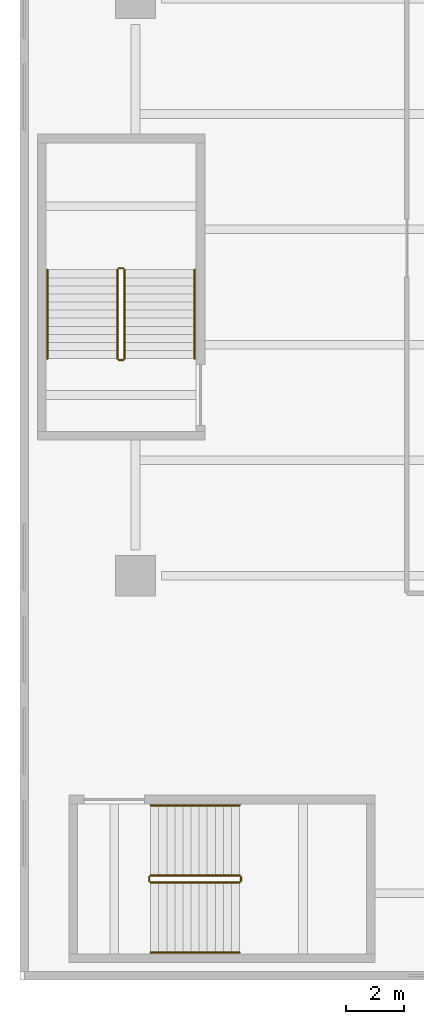
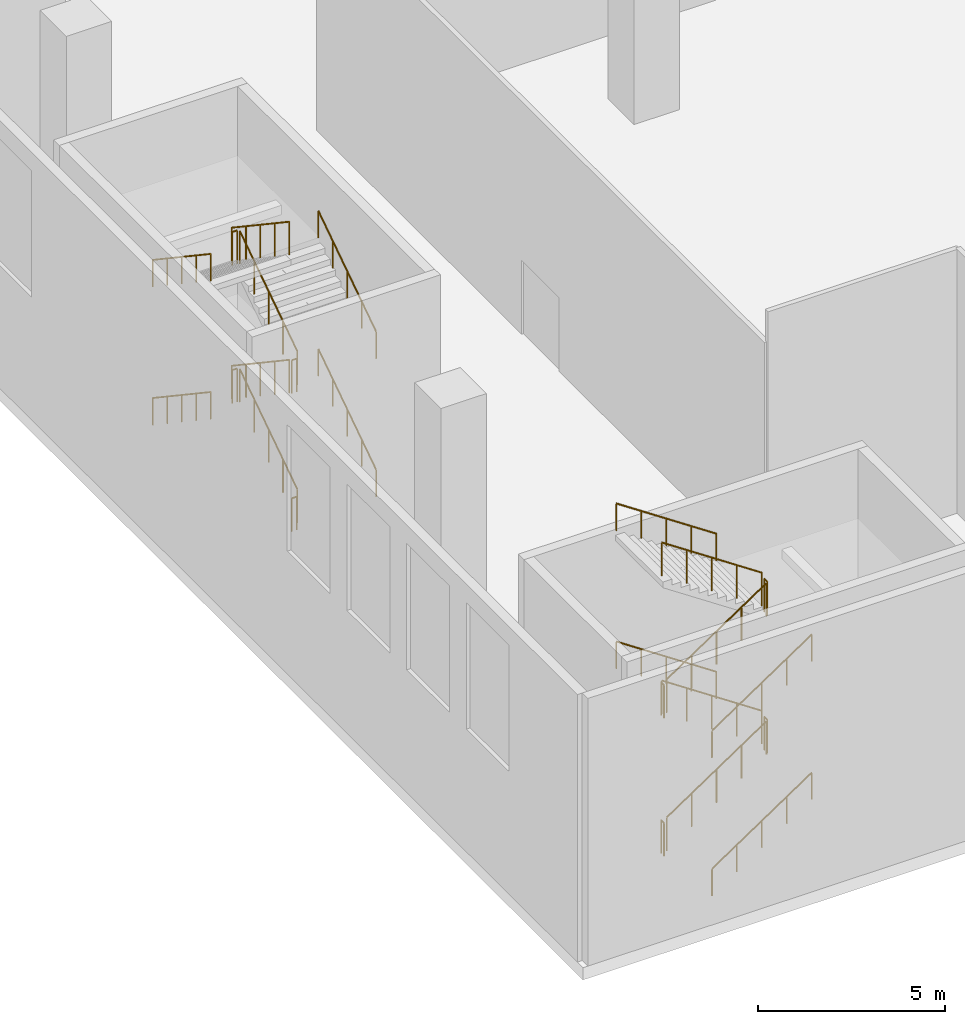
# One storey, part 19 of 27: 24 railings.
"""IFC4 building model written with IfcOpenShell, lengths in metres."""

from ifc_helpers import new_model, si_unit, direction, frame, origin, origin_2d, place, context, subcontext, project, spatial, circle, extrude, material, type_object, element, save


model = new_model("IFC4")

# Units and contexts
model_context = context("Model", 3, precision=1e-05, world=origin(), true_north=direction((0.0, 1.0)))
body_context = subcontext(model_context, "Body", "Model", "MODEL_VIEW")
ifc_project = project(units=[si_unit("LENGTHUNIT", "METRE"), si_unit("AREAUNIT", "SQUARE_METRE"), si_unit("VOLUMEUNIT", "CUBIC_METRE"), si_unit("PLANEANGLEUNIT", "RADIAN"), si_unit("MASSUNIT", "GRAM", prefix="KILO")], contexts=[model_context])

# Site, building, storey
site_placement = place(None, origin())
site = spatial("IfcSite", under=ifc_project, at=site_placement, CompositionType="ELEMENT")
building_placement = place(site_placement, origin())
building = spatial("IfcBuilding", under=site, at=building_placement, Name="Tel Ilan Convention Tower", CompositionType="ELEMENT")
storey_placement = place(building_placement, frame((0.0, 0.0, 9.0)))
storey = spatial("IfcBuildingStorey", under=building, at=storey_placement, Name="L01", CompositionType="ELEMENT", Elevation=9.0)

# Railings
ifc_material_1 = material(Name="Stainless Steel Grade 316", Category="steel")
railing_type_1 = type_object("IfcRailingType", Name="Stainless Steel Stair Guard 1100 mm", PredefinedType="GUARDRAIL", material=ifc_material_1)
railing_1_placement = place(storey_placement, frame((-45.47509765625, -78.625, 0.1875)))
element("IfcRailing", 1, at=railing_1_placement, inside=storey, type_object=railing_type_1, Name="L01 P1 stair guard 1", PredefinedType="GUARDRAIL", context=body_context, shape_type="SweptSolid", body=[
    extrude(circle(Radius=0.02392578125, at=origin_2d()), frame((0.0, 0.0, 1.076171875), z_axis=(0.830913701846, 0.0, 0.55640131208), x_axis=(0.0, 1.0, 0.0)), (0.0, 0.0, 1.0), 3.706787109375),
    extrude(circle(Radius=0.02099609375, at=origin_2d()), origin(), (0.0, 0.0, 1.0), 1.052001953125),
    extrude(circle(Radius=0.02099609375, at=origin_2d()), frame((0.77001953125, 0.0, 0.515625)), (0.0, 0.0, 1.0), 1.052001953125),
    extrude(circle(Radius=0.02099609375, at=origin_2d()), frame((1.5400390625, 0.0, 1.03125)), (0.0, 0.0, 1.0), 1.052001953125),
    extrude(circle(Radius=0.02099609375, at=origin_2d()), frame((2.31005859375, 0.0, 1.546875)), (0.0, 0.0, 1.0), 1.052001953125),
    extrude(circle(Radius=0.02099609375, at=origin_2d()), frame((3.080078125, 0.0, 2.0625)), (0.0, 0.0, 1.0), 1.052001953125),
])
railing_2_placement = place(storey_placement, frame((-42.344970703125, -78.574951171875, 2.25)))
element("IfcRailing", 2, at=railing_2_placement, inside=storey, type_object=railing_type_1, Name="L01 P1 stair guard 2", PredefinedType="GUARDRAIL", context=body_context, shape_type="SweptSolid", body=[
    extrude(circle(Radius=0.02392578125, at=origin_2d()), frame((0.0, 0.0, 1.076171875), z_axis=(0.0, 1.0, 0.0), x_axis=(-1.0, 0.0, 0.0)), (0.0, 0.0, 1.0), 0.14990234375),
    extrude(circle(Radius=0.02099609375, at=origin_2d()), origin(), (0.0, 0.0, 1.0), 1.052001953125),
    extrude(circle(Radius=0.02099609375, at=origin_2d()), frame((0.0, 0.14990234375, 0.0)), (0.0, 0.0, 1.0), 1.052001953125),
])
railing_3_placement = place(storey_placement, frame((-42.39501953125, -78.375, 2.4375)))
element("IfcRailing", 3, at=railing_3_placement, inside=storey, type_object=railing_type_1, Name="L01 P1 stair guard 3", PredefinedType="GUARDRAIL", context=body_context, shape_type="SweptSolid", body=[
    extrude(circle(Radius=0.02392578125, at=origin_2d()), frame((0.0, 0.0, 1.076171875), z_axis=(-0.830913701846, 0.0, 0.55640131208), x_axis=(0.0, -1.0, 0.0)), (0.0, 0.0, 1.0), 3.706787109375),
    extrude(circle(Radius=0.02099609375, at=origin_2d()), origin(), (0.0, 0.0, 1.0), 1.052001953125),
    extrude(circle(Radius=0.02099609375, at=origin_2d()), frame((-0.77001953125, 0.0, 0.515625)), (0.0, 0.0, 1.0), 1.052001953125),
    extrude(circle(Radius=0.02099609375, at=origin_2d()), frame((-1.5400390625, 0.0, 1.03125)), (0.0, 0.0, 1.0), 1.052001953125),
    extrude(circle(Radius=0.02099609375, at=origin_2d()), frame((-2.31005859375, 0.0, 1.546875)), (0.0, 0.0, 1.0), 1.052001953125),
    extrude(circle(Radius=0.02099609375, at=origin_2d()), frame((-3.080078125, 0.0, 2.0625)), (0.0, 0.0, 1.0), 1.052001953125),
])
railing_4_placement = place(storey_placement, frame((-45.52490234375, -78.574951171875, 4.5)))
element("IfcRailing", 4, at=railing_4_placement, inside=storey, type_object=railing_type_1, Name="L01 P1 stair guard 4", PredefinedType="GUARDRAIL", context=body_context, shape_type="SweptSolid", body=[
    extrude(circle(Radius=0.02392578125, at=origin_2d()), frame((0.0, 0.0, 1.076171875), z_axis=(0.0, 1.0, 0.0), x_axis=(-1.0, 0.0, 0.0)), (0.0, 0.0, 1.0), 0.14990234375),
    extrude(circle(Radius=0.02099609375, at=origin_2d()), origin(), (0.0, 0.0, 1.0), 1.052001953125),
    extrude(circle(Radius=0.02099609375, at=origin_2d()), frame((0.0, 0.14990234375, 0.0)), (0.0, 0.0, 1.0), 1.052001953125),
])
railing_5_placement = place(storey_placement, frame((-45.47509765625, -78.625, 4.6875)))
element("IfcRailing", 5, at=railing_5_placement, inside=storey, type_object=railing_type_1, Name="L01 P1 stair guard 5", PredefinedType="GUARDRAIL", context=body_context, shape_type="SweptSolid", body=[
    extrude(circle(Radius=0.02392578125, at=origin_2d()), frame((0.0, 0.0, 1.076171875), z_axis=(0.830913701846, 0.0, 0.55640131208), x_axis=(0.0, 1.0, 0.0)), (0.0, 0.0, 1.0), 3.706787109375),
    extrude(circle(Radius=0.02099609375, at=origin_2d()), origin(), (0.0, 0.0, 1.0), 1.052001953125),
    extrude(circle(Radius=0.02099609375, at=origin_2d()), frame((0.77001953125, 0.0, 0.515625)), (0.0, 0.0, 1.0), 1.052001953125),
    extrude(circle(Radius=0.02099609375, at=origin_2d()), frame((1.5400390625, 0.0, 1.03125)), (0.0, 0.0, 1.0), 1.052001953125),
    extrude(circle(Radius=0.02099609375, at=origin_2d()), frame((2.31005859375, 0.0, 1.546875)), (0.0, 0.0, 1.0), 1.052001953125),
    extrude(circle(Radius=0.02099609375, at=origin_2d()), frame((3.080078125, 0.0, 2.0625)), (0.0, 0.0, 1.0), 1.052001953125),
])
railing_6_placement = place(storey_placement, frame((-42.344970703125, -78.574951171875, 6.75)))
element("IfcRailing", 6, at=railing_6_placement, inside=storey, type_object=railing_type_1, Name="L01 P1 stair guard 6", PredefinedType="GUARDRAIL", context=body_context, shape_type="SweptSolid", body=[
    extrude(circle(Radius=0.02392578125, at=origin_2d()), frame((0.0, 0.0, 1.076171875), z_axis=(0.0, 1.0, 0.0), x_axis=(-1.0, 0.0, 0.0)), (0.0, 0.0, 1.0), 0.14990234375),
    extrude(circle(Radius=0.02099609375, at=origin_2d()), origin(), (0.0, 0.0, 1.0), 1.052001953125),
    extrude(circle(Radius=0.02099609375, at=origin_2d()), frame((0.0, 0.14990234375, 0.0)), (0.0, 0.0, 1.0), 1.052001953125),
])
railing_7_placement = place(storey_placement, frame((-42.39501953125, -78.375, 6.9375)))
element("IfcRailing", 7, at=railing_7_placement, inside=storey, type_object=railing_type_1, Name="L01 P1 stair guard 7", PredefinedType="GUARDRAIL", context=body_context, shape_type="SweptSolid", body=[
    extrude(circle(Radius=0.02392578125, at=origin_2d()), frame((0.0, 0.0, 1.076171875), z_axis=(-0.830913701846, 0.0, 0.55640131208), x_axis=(0.0, -1.0, 0.0)), (0.0, 0.0, 1.0), 3.706787109375),
    extrude(circle(Radius=0.02099609375, at=origin_2d()), origin(), (0.0, 0.0, 1.0), 1.052001953125),
    extrude(circle(Radius=0.02099609375, at=origin_2d()), frame((-0.77001953125, 0.0, 0.515625)), (0.0, 0.0, 1.0), 1.052001953125),
    extrude(circle(Radius=0.02099609375, at=origin_2d()), frame((-1.5400390625, 0.0, 1.03125)), (0.0, 0.0, 1.0), 1.052001953125),
    extrude(circle(Radius=0.02099609375, at=origin_2d()), frame((-2.31005859375, 0.0, 1.546875)), (0.0, 0.0, 1.0), 1.052001953125),
    extrude(circle(Radius=0.02099609375, at=origin_2d()), frame((-3.080078125, 0.0, 2.0625)), (0.0, 0.0, 1.0), 1.052001953125),
])
railing_8_placement = place(storey_placement, frame((-45.52490234375, -78.574951171875, 0.0)))
element("IfcRailing", 8, at=railing_8_placement, inside=storey, type_object=railing_type_1, Name="L01 P1 stair guard 8", PredefinedType="GUARDRAIL", context=body_context, shape_type="SweptSolid", body=[
    extrude(circle(Radius=0.02392578125, at=origin_2d()), frame((0.0, 0.0, 1.076171875), z_axis=(0.0, 1.0, 0.0), x_axis=(-1.0, 0.0, 0.0)), (0.0, 0.0, 1.0), 0.14990234375),
    extrude(circle(Radius=0.02099609375, at=origin_2d()), origin(), (0.0, 0.0, 1.0), 1.052001953125),
    extrude(circle(Radius=0.02099609375, at=origin_2d()), frame((0.0, 0.14990234375, 0.0)), (0.0, 0.0, 1.0), 1.052001953125),
])
railing_9_placement = place(storey_placement, frame((-46.375, -60.47509765625, 0.1875)))
element("IfcRailing", 9, at=railing_9_placement, inside=storey, type_object=railing_type_1, Name="L01 P5 stair guard 1", PredefinedType="GUARDRAIL", context=body_context, shape_type="SweptSolid", body=[
    extrude(circle(Radius=0.02392578125, at=origin_2d()), frame((0.0, 0.0, 1.076171875), z_axis=(0.0, 0.830913701846, 0.55640131208), x_axis=(-1.0, 0.0, 0.0)), (0.0, 0.0, 1.0), 3.706787109375),
    extrude(circle(Radius=0.02099609375, at=origin_2d()), origin(), (0.0, 0.0, 1.0), 1.052001953125),
    extrude(circle(Radius=0.02099609375, at=origin_2d()), frame((0.0, 0.77001953125, 0.515625)), (0.0, 0.0, 1.0), 1.052001953125),
    extrude(circle(Radius=0.02099609375, at=origin_2d()), frame((0.0, 1.5400390625, 1.03125)), (0.0, 0.0, 1.0), 1.052001953125),
    extrude(circle(Radius=0.02099609375, at=origin_2d()), frame((0.0, 2.31005859375, 1.546875)), (0.0, 0.0, 1.0), 1.052001953125),
    extrude(circle(Radius=0.02099609375, at=origin_2d()), frame((0.0, 3.080078125, 2.0625)), (0.0, 0.0, 1.0), 1.052001953125),
])
railing_10_placement = place(storey_placement, frame((-46.425048828125, -57.344970703125, 2.25)))
element("IfcRailing", 10, at=railing_10_placement, inside=storey, type_object=railing_type_1, Name="L01 P5 stair guard 2", PredefinedType="GUARDRAIL", context=body_context, shape_type="SweptSolid", body=[
    extrude(circle(Radius=0.02392578125, at=origin_2d()), frame((0.0, 0.0, 1.076171875), z_axis=(-1.0, 0.0, 0.0), x_axis=(0.0, -1.0, 0.0)), (0.0, 0.0, 1.0), 0.14990234375),
    extrude(circle(Radius=0.02099609375, at=origin_2d()), origin(), (0.0, 0.0, 1.0), 1.052001953125),
    extrude(circle(Radius=0.02099609375, at=origin_2d()), frame((-0.14990234375, 0.0, 0.0)), (0.0, 0.0, 1.0), 1.052001953125),
])
railing_11_placement = place(storey_placement, frame((-46.625, -57.39501953125, 2.4375)))
element("IfcRailing", 11, at=railing_11_placement, inside=storey, type_object=railing_type_1, Name="L01 P5 stair guard 3", PredefinedType="GUARDRAIL", context=body_context, shape_type="SweptSolid", body=[
    extrude(circle(Radius=0.02392578125, at=origin_2d()), frame((0.0, 0.0, 1.076171875), z_axis=(0.0, -0.830913701846, 0.55640131208), x_axis=(1.0, 0.0, 0.0)), (0.0, 0.0, 1.0), 3.706787109375),
    extrude(circle(Radius=0.02099609375, at=origin_2d()), origin(), (0.0, 0.0, 1.0), 1.052001953125),
    extrude(circle(Radius=0.02099609375, at=origin_2d()), frame((0.0, -0.77001953125, 0.515625)), (0.0, 0.0, 1.0), 1.052001953125),
    extrude(circle(Radius=0.02099609375, at=origin_2d()), frame((0.0, -1.5400390625, 1.03125)), (0.0, 0.0, 1.0), 1.052001953125),
    extrude(circle(Radius=0.02099609375, at=origin_2d()), frame((0.0, -2.31005859375, 1.546875)), (0.0, 0.0, 1.0), 1.052001953125),
    extrude(circle(Radius=0.02099609375, at=origin_2d()), frame((0.0, -3.080078125, 2.0625)), (0.0, 0.0, 1.0), 1.052001953125),
])
railing_12_placement = place(storey_placement, frame((-46.425048828125, -60.52490234375, 4.5)))
element("IfcRailing", 12, at=railing_12_placement, inside=storey, type_object=railing_type_1, Name="L01 P5 stair guard 4", PredefinedType="GUARDRAIL", context=body_context, shape_type="SweptSolid", body=[
    extrude(circle(Radius=0.02392578125, at=origin_2d()), frame((0.0, 0.0, 1.076171875), z_axis=(-1.0, 0.0, 0.0), x_axis=(0.0, -1.0, 0.0)), (0.0, 0.0, 1.0), 0.14990234375),
    extrude(circle(Radius=0.02099609375, at=origin_2d()), origin(), (0.0, 0.0, 1.0), 1.052001953125),
    extrude(circle(Radius=0.02099609375, at=origin_2d()), frame((-0.14990234375, 0.0, 0.0)), (0.0, 0.0, 1.0), 1.052001953125),
])
railing_13_placement = place(storey_placement, frame((-46.375, -60.47509765625, 4.6875)))
element("IfcRailing", 13, at=railing_13_placement, inside=storey, type_object=railing_type_1, Name="L01 P5 stair guard 5", PredefinedType="GUARDRAIL", context=body_context, shape_type="SweptSolid", body=[
    extrude(circle(Radius=0.02392578125, at=origin_2d()), frame((0.0, 0.0, 1.076171875), z_axis=(0.0, 0.830913701846, 0.55640131208), x_axis=(-1.0, 0.0, 0.0)), (0.0, 0.0, 1.0), 3.706787109375),
    extrude(circle(Radius=0.02099609375, at=origin_2d()), origin(), (0.0, 0.0, 1.0), 1.052001953125),
    extrude(circle(Radius=0.02099609375, at=origin_2d()), frame((0.0, 0.77001953125, 0.515625)), (0.0, 0.0, 1.0), 1.052001953125),
    extrude(circle(Radius=0.02099609375, at=origin_2d()), frame((0.0, 1.5400390625, 1.03125)), (0.0, 0.0, 1.0), 1.052001953125),
    extrude(circle(Radius=0.02099609375, at=origin_2d()), frame((0.0, 2.31005859375, 1.546875)), (0.0, 0.0, 1.0), 1.052001953125),
    extrude(circle(Radius=0.02099609375, at=origin_2d()), frame((0.0, 3.080078125, 2.0625)), (0.0, 0.0, 1.0), 1.052001953125),
])
railing_14_placement = place(storey_placement, frame((-46.425048828125, -57.344970703125, 6.75)))
element("IfcRailing", 14, at=railing_14_placement, inside=storey, type_object=railing_type_1, Name="L01 P5 stair guard 6", PredefinedType="GUARDRAIL", context=body_context, shape_type="SweptSolid", body=[
    extrude(circle(Radius=0.02392578125, at=origin_2d()), frame((0.0, 0.0, 1.076171875), z_axis=(-1.0, 0.0, 0.0), x_axis=(0.0, -1.0, 0.0)), (0.0, 0.0, 1.0), 0.14990234375),
    extrude(circle(Radius=0.02099609375, at=origin_2d()), origin(), (0.0, 0.0, 1.0), 1.052001953125),
    extrude(circle(Radius=0.02099609375, at=origin_2d()), frame((-0.14990234375, 0.0, 0.0)), (0.0, 0.0, 1.0), 1.052001953125),
])
railing_15_placement = place(storey_placement, frame((-46.625, -57.39501953125, 6.9375)))
element("IfcRailing", 15, at=railing_15_placement, inside=storey, type_object=railing_type_1, Name="L01 P5 stair guard 7", PredefinedType="GUARDRAIL", context=body_context, shape_type="SweptSolid", body=[
    extrude(circle(Radius=0.02392578125, at=origin_2d()), frame((0.0, 0.0, 1.076171875), z_axis=(0.0, -0.830913701846, 0.55640131208), x_axis=(1.0, 0.0, 0.0)), (0.0, 0.0, 1.0), 3.706787109375),
    extrude(circle(Radius=0.02099609375, at=origin_2d()), origin(), (0.0, 0.0, 1.0), 1.052001953125),
    extrude(circle(Radius=0.02099609375, at=origin_2d()), frame((0.0, -0.77001953125, 0.515625)), (0.0, 0.0, 1.0), 1.052001953125),
    extrude(circle(Radius=0.02099609375, at=origin_2d()), frame((0.0, -1.5400390625, 1.03125)), (0.0, 0.0, 1.0), 1.052001953125),
    extrude(circle(Radius=0.02099609375, at=origin_2d()), frame((0.0, -2.31005859375, 1.546875)), (0.0, 0.0, 1.0), 1.052001953125),
    extrude(circle(Radius=0.02099609375, at=origin_2d()), frame((0.0, -3.080078125, 2.0625)), (0.0, 0.0, 1.0), 1.052001953125),
])
railing_16_placement = place(storey_placement, frame((-46.425048828125, -60.52490234375, 0.0)))
element("IfcRailing", 16, at=railing_16_placement, inside=storey, type_object=railing_type_1, Name="L01 P5 stair guard 8", PredefinedType="GUARDRAIL", context=body_context, shape_type="SweptSolid", body=[
    extrude(circle(Radius=0.02392578125, at=origin_2d()), frame((0.0, 0.0, 1.076171875), z_axis=(-1.0, 0.0, 0.0), x_axis=(0.0, -1.0, 0.0)), (0.0, 0.0, 1.0), 0.14990234375),
    extrude(circle(Radius=0.02099609375, at=origin_2d()), origin(), (0.0, 0.0, 1.0), 1.052001953125),
    extrude(circle(Radius=0.02099609375, at=origin_2d()), frame((-0.14990234375, 0.0, 0.0)), (0.0, 0.0, 1.0), 1.052001953125),
])
ifc_material_2 = material(Name="Stainless Steel Grade 316", Category="steel")
railing_type_2 = type_object("IfcRailingType", Name="Stainless Steel Stair Handrail 900 mm", PredefinedType="HANDRAIL", material=ifc_material_2)
railing_17_placement = place(storey_placement, frame((-45.47509765625, -81.050048828125, 0.1875)))
element("IfcRailing", 17, at=railing_17_placement, inside=storey, type_object=railing_type_2, Name="L01 P1 stair handrail 1", PredefinedType="HANDRAIL", context=body_context, shape_type="SweptSolid", body=[
    extrude(circle(Radius=0.02392578125, at=origin_2d()), frame((0.0, 0.0, 0.8759765625), z_axis=(0.830913701846, 0.0, 0.55640131208), x_axis=(0.0, 1.0, 0.0)), (0.0, 0.0, 1.0), 3.706787109375),
    extrude(circle(Radius=0.02099609375, at=origin_2d()), origin(), (0.0, 0.0, 1.0), 0.851806640625),
    extrude(circle(Radius=0.02099609375, at=origin_2d()), frame((0.77001953125, 0.0, 0.515625)), (0.0, 0.0, 1.0), 0.851806640625),
    extrude(circle(Radius=0.02099609375, at=origin_2d()), frame((1.5400390625, 0.0, 1.03125)), (0.0, 0.0, 1.0), 0.851806640625),
    extrude(circle(Radius=0.02099609375, at=origin_2d()), frame((2.31005859375, 0.0, 1.546875)), (0.0, 0.0, 1.0), 0.851806640625),
    extrude(circle(Radius=0.02099609375, at=origin_2d()), frame((3.080078125, 0.0, 2.0625)), (0.0, 0.0, 1.0), 0.851806640625),
])
railing_18_placement = place(storey_placement, frame((-42.39501953125, -75.949951171875, 2.4375)))
element("IfcRailing", 18, at=railing_18_placement, inside=storey, type_object=railing_type_2, Name="L01 P1 stair handrail 2", PredefinedType="HANDRAIL", context=body_context, shape_type="SweptSolid", body=[
    extrude(circle(Radius=0.02392578125, at=origin_2d()), frame((0.0, 0.0, 0.8759765625), z_axis=(-0.830913701846, 0.0, 0.55640131208), x_axis=(0.0, -1.0, 0.0)), (0.0, 0.0, 1.0), 3.706787109375),
    extrude(circle(Radius=0.02099609375, at=origin_2d()), origin(), (0.0, 0.0, 1.0), 0.851806640625),
    extrude(circle(Radius=0.02099609375, at=origin_2d()), frame((-0.77001953125, 0.0, 0.515625)), (0.0, 0.0, 1.0), 0.851806640625),
    extrude(circle(Radius=0.02099609375, at=origin_2d()), frame((-1.5400390625, 0.0, 1.03125)), (0.0, 0.0, 1.0), 0.851806640625),
    extrude(circle(Radius=0.02099609375, at=origin_2d()), frame((-2.31005859375, 0.0, 1.546875)), (0.0, 0.0, 1.0), 0.851806640625),
    extrude(circle(Radius=0.02099609375, at=origin_2d()), frame((-3.080078125, 0.0, 2.0625)), (0.0, 0.0, 1.0), 0.851806640625),
])
railing_19_placement = place(storey_placement, frame((-45.47509765625, -81.050048828125, 4.6875)))
element("IfcRailing", 19, at=railing_19_placement, inside=storey, type_object=railing_type_2, Name="L01 P1 stair handrail 3", PredefinedType="HANDRAIL", context=body_context, shape_type="SweptSolid", body=[
    extrude(circle(Radius=0.02392578125, at=origin_2d()), frame((0.0, 0.0, 0.8759765625), z_axis=(0.830913701846, 0.0, 0.55640131208), x_axis=(0.0, 1.0, 0.0)), (0.0, 0.0, 1.0), 3.706787109375),
    extrude(circle(Radius=0.02099609375, at=origin_2d()), origin(), (0.0, 0.0, 1.0), 0.851806640625),
    extrude(circle(Radius=0.02099609375, at=origin_2d()), frame((0.77001953125, 0.0, 0.515625)), (0.0, 0.0, 1.0), 0.851806640625),
    extrude(circle(Radius=0.02099609375, at=origin_2d()), frame((1.5400390625, 0.0, 1.03125)), (0.0, 0.0, 1.0), 0.851806640625),
    extrude(circle(Radius=0.02099609375, at=origin_2d()), frame((2.31005859375, 0.0, 1.546875)), (0.0, 0.0, 1.0), 0.851806640625),
    extrude(circle(Radius=0.02099609375, at=origin_2d()), frame((3.080078125, 0.0, 2.0625)), (0.0, 0.0, 1.0), 0.851806640625),
])
railing_20_placement = place(storey_placement, frame((-42.39501953125, -75.949951171875, 6.9375)))
element("IfcRailing", 20, at=railing_20_placement, inside=storey, type_object=railing_type_2, Name="L01 P1 stair handrail 4", PredefinedType="HANDRAIL", context=body_context, shape_type="SweptSolid", body=[
    extrude(circle(Radius=0.02392578125, at=origin_2d()), frame((0.0, 0.0, 0.8759765625), z_axis=(-0.830913701846, 0.0, 0.55640131208), x_axis=(0.0, -1.0, 0.0)), (0.0, 0.0, 1.0), 3.706787109375),
    extrude(circle(Radius=0.02099609375, at=origin_2d()), origin(), (0.0, 0.0, 1.0), 0.851806640625),
    extrude(circle(Radius=0.02099609375, at=origin_2d()), frame((-0.77001953125, 0.0, 0.515625)), (0.0, 0.0, 1.0), 0.851806640625),
    extrude(circle(Radius=0.02099609375, at=origin_2d()), frame((-1.5400390625, 0.0, 1.03125)), (0.0, 0.0, 1.0), 0.851806640625),
    extrude(circle(Radius=0.02099609375, at=origin_2d()), frame((-2.31005859375, 0.0, 1.546875)), (0.0, 0.0, 1.0), 0.851806640625),
    extrude(circle(Radius=0.02099609375, at=origin_2d()), frame((-3.080078125, 0.0, 2.0625)), (0.0, 0.0, 1.0), 0.851806640625),
])
railing_21_placement = place(storey_placement, frame((-43.949951171875, -60.47509765625, 0.1875)))
element("IfcRailing", 21, at=railing_21_placement, inside=storey, type_object=railing_type_2, Name="L01 P5 stair handrail 1", PredefinedType="HANDRAIL", context=body_context, shape_type="SweptSolid", body=[
    extrude(circle(Radius=0.02392578125, at=origin_2d()), frame((0.0, 0.0, 0.8759765625), z_axis=(0.0, 0.830913701846, 0.55640131208), x_axis=(-1.0, 0.0, 0.0)), (0.0, 0.0, 1.0), 3.706787109375),
    extrude(circle(Radius=0.02099609375, at=origin_2d()), origin(), (0.0, 0.0, 1.0), 0.851806640625),
    extrude(circle(Radius=0.02099609375, at=origin_2d()), frame((0.0, 0.77001953125, 0.515625)), (0.0, 0.0, 1.0), 0.851806640625),
    extrude(circle(Radius=0.02099609375, at=origin_2d()), frame((0.0, 1.5400390625, 1.03125)), (0.0, 0.0, 1.0), 0.851806640625),
    extrude(circle(Radius=0.02099609375, at=origin_2d()), frame((0.0, 2.31005859375, 1.546875)), (0.0, 0.0, 1.0), 0.851806640625),
    extrude(circle(Radius=0.02099609375, at=origin_2d()), frame((0.0, 3.080078125, 2.0625)), (0.0, 0.0, 1.0), 0.851806640625),
])
railing_22_placement = place(storey_placement, frame((-49.050048828125, -57.39501953125, 2.4375)))
element("IfcRailing", 22, at=railing_22_placement, inside=storey, type_object=railing_type_2, Name="L01 P5 stair handrail 2", PredefinedType="HANDRAIL", context=body_context, shape_type="SweptSolid", body=[
    extrude(circle(Radius=0.02392578125, at=origin_2d()), frame((0.0, 0.0, 0.8759765625), z_axis=(0.0, -0.830913701846, 0.55640131208), x_axis=(1.0, 0.0, 0.0)), (0.0, 0.0, 1.0), 3.706787109375),
    extrude(circle(Radius=0.02099609375, at=origin_2d()), origin(), (0.0, 0.0, 1.0), 0.851806640625),
    extrude(circle(Radius=0.02099609375, at=origin_2d()), frame((0.0, -0.77001953125, 0.515625)), (0.0, 0.0, 1.0), 0.851806640625),
    extrude(circle(Radius=0.02099609375, at=origin_2d()), frame((0.0, -1.5400390625, 1.03125)), (0.0, 0.0, 1.0), 0.851806640625),
    extrude(circle(Radius=0.02099609375, at=origin_2d()), frame((0.0, -2.31005859375, 1.546875)), (0.0, 0.0, 1.0), 0.851806640625),
    extrude(circle(Radius=0.02099609375, at=origin_2d()), frame((0.0, -3.080078125, 2.0625)), (0.0, 0.0, 1.0), 0.851806640625),
])
railing_23_placement = place(storey_placement, frame((-43.949951171875, -60.47509765625, 4.6875)))
element("IfcRailing", 23, at=railing_23_placement, inside=storey, type_object=railing_type_2, Name="L01 P5 stair handrail 3", PredefinedType="HANDRAIL", context=body_context, shape_type="SweptSolid", body=[
    extrude(circle(Radius=0.02392578125, at=origin_2d()), frame((0.0, 0.0, 0.8759765625), z_axis=(0.0, 0.830913701846, 0.55640131208), x_axis=(-1.0, 0.0, 0.0)), (0.0, 0.0, 1.0), 3.706787109375),
    extrude(circle(Radius=0.02099609375, at=origin_2d()), origin(), (0.0, 0.0, 1.0), 0.851806640625),
    extrude(circle(Radius=0.02099609375, at=origin_2d()), frame((0.0, 0.77001953125, 0.515625)), (0.0, 0.0, 1.0), 0.851806640625),
    extrude(circle(Radius=0.02099609375, at=origin_2d()), frame((0.0, 1.5400390625, 1.03125)), (0.0, 0.0, 1.0), 0.851806640625),
    extrude(circle(Radius=0.02099609375, at=origin_2d()), frame((0.0, 2.31005859375, 1.546875)), (0.0, 0.0, 1.0), 0.851806640625),
    extrude(circle(Radius=0.02099609375, at=origin_2d()), frame((0.0, 3.080078125, 2.0625)), (0.0, 0.0, 1.0), 0.851806640625),
])
railing_24_placement = place(storey_placement, frame((-49.050048828125, -57.39501953125, 6.9375)))
element("IfcRailing", 24, at=railing_24_placement, inside=storey, type_object=railing_type_2, Name="L01 P5 stair handrail 4", PredefinedType="HANDRAIL", context=body_context, shape_type="SweptSolid", body=[
    extrude(circle(Radius=0.02392578125, at=origin_2d()), frame((0.0, 0.0, 0.8759765625), z_axis=(0.0, -0.830913701846, 0.55640131208), x_axis=(1.0, 0.0, 0.0)), (0.0, 0.0, 1.0), 3.706787109375),
    extrude(circle(Radius=0.02099609375, at=origin_2d()), origin(), (0.0, 0.0, 1.0), 0.851806640625),
    extrude(circle(Radius=0.02099609375, at=origin_2d()), frame((0.0, -0.77001953125, 0.515625)), (0.0, 0.0, 1.0), 0.851806640625),
    extrude(circle(Radius=0.02099609375, at=origin_2d()), frame((0.0, -1.5400390625, 1.03125)), (0.0, 0.0, 1.0), 0.851806640625),
    extrude(circle(Radius=0.02099609375, at=origin_2d()), frame((0.0, -2.31005859375, 1.546875)), (0.0, 0.0, 1.0), 0.851806640625),
    extrude(circle(Radius=0.02099609375, at=origin_2d()), frame((0.0, -3.080078125, 2.0625)), (0.0, 0.0, 1.0), 0.851806640625),
])

save(model, "model.ifc")
